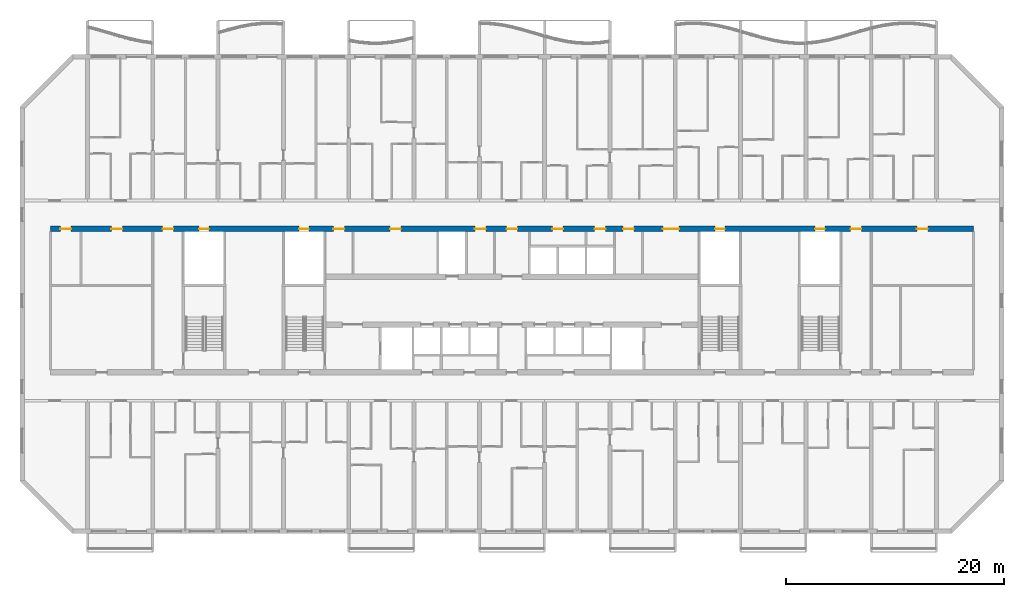
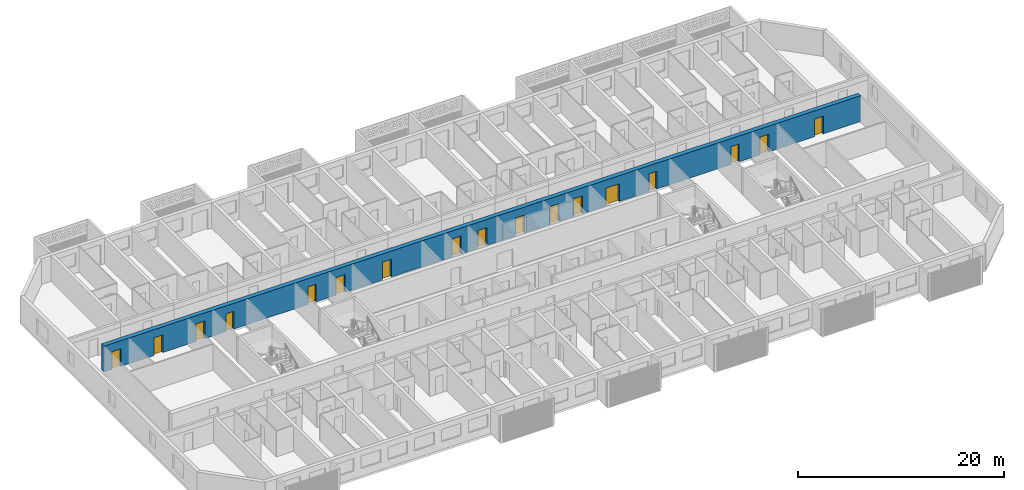
# One storey, part 8 of 30: 17 doors, 1 wall, 17 openings.
"""IFC4 building model written with IfcOpenShell, lengths in metres."""

from ifc_helpers import new_model, si_unit, direction, frame, frame_2d, origin, place, context, subcontext, project, spatial, rectangle, extrude, material, layer, layer_set, type_object, element, fill, save


model = new_model("IFC4")

# Units and contexts
model_context = context("Model", 3, precision=1e-05, world=origin(), true_north=direction((0.0, 1.0)))
body_context = subcontext(model_context, "Body", "Model", "MODEL_VIEW")
ifc_project = project(units=[si_unit("LENGTHUNIT", "METRE"), si_unit("AREAUNIT", "SQUARE_METRE"), si_unit("VOLUMEUNIT", "CUBIC_METRE"), si_unit("PLANEANGLEUNIT", "RADIAN"), si_unit("MASSUNIT", "GRAM", prefix="KILO")], contexts=[model_context])

# Site, building, storey
site_placement = place(None, origin())
site = spatial("IfcSite", under=ifc_project, at=site_placement, CompositionType="ELEMENT")
building_placement = place(site_placement, origin())
building = spatial("IfcBuilding", under=site, at=building_placement, Name="Poui Terraces", CompositionType="ELEMENT")
storey_placement = place(building_placement, frame((0.0, 0.0, 99.300048828125)))
storey = spatial("IfcBuildingStorey", under=building, at=storey_placement, Name="L27", CompositionType="ELEMENT", Elevation=99.300048828125)

# Wall, openings, doors
ifc_material_1 = material(Name="Concrete 65 MPa", Category="concrete")
ifc_layer = layer(ifc_material_1, 0.5)
ifc_layer_set = layer_set([ifc_layer], Name="Concrete 65 MPa")
wall_type = type_object("IfcWallType", Name="SPINE WALL 500 65 MPA", PredefinedType="SOLIDWALL", material=ifc_layer_set)
wall_placement = place(storey_placement, frame((8.60009765625, 27.800048828125, 0.0), z_axis=(0.0, 0.0, 1.0), x_axis=(1.0, 0.0, 0.0)))
wall = element("IfcWall", 1, at=wall_placement, inside=storey, type_object=wall_type, Name="SPINE WALL", PredefinedType="SOLIDWALL", context=body_context, shape_type="SweptSolid", body=[
    extrude(rectangle(XDim=84.7998046875, YDim=0.5, at=frame_2d((42.39990234375, 0.0))), origin(), (0.0, 0.0, 1.0), 3.06005859375),
])
opening_1_placement = place(wall_placement, frame((0.89990234375, 0.0, 0.0)))
opening_1 = element("IfcOpeningElement", 2, at=opening_1_placement, cuts=wall, Name="Opening FD60", PredefinedType="OPENING", context=body_context, shape_type="SweptSolid", body=[
    extrude(rectangle(XDim=1.0, YDim=2.10009765625, at=frame_2d((0.5, 1.050048828125))), frame((0.0, 0.260009765625, 0.0), z_axis=(0.0, -1.0, 0.0), x_axis=(1.0, 0.0, 0.0)), (0.0, 0.0, 1.0), 0.52001953125),
])
opening_2_placement = place(wall_placement, frame((5.60009765625, 0.0, 0.0)))
opening_2 = element("IfcOpeningElement", 3, at=opening_2_placement, cuts=wall, Name="Opening FD60", PredefinedType="OPENING", context=body_context, shape_type="SweptSolid", body=[
    extrude(rectangle(XDim=1.0, YDim=2.10009765625, at=frame_2d((0.5, 1.050048828125))), frame((0.0, 0.260009765625, 0.0), z_axis=(0.0, -1.0, 0.0), x_axis=(1.0, 0.0, 0.0)), (0.0, 0.0, 1.0), 0.52001953125),
])
opening_3_placement = place(wall_placement, frame((10.300048828125, 0.0, 0.0)))
opening_3 = element("IfcOpeningElement", 4, at=opening_3_placement, cuts=wall, Name="Opening FDL", PredefinedType="OPENING", context=body_context, shape_type="SweptSolid", body=[
    extrude(rectangle(XDim=1.0, YDim=2.10009765625, at=frame_2d((0.5, 1.050048828125))), frame((0.0, 0.260009765625, 0.0), z_axis=(0.0, -1.0, 0.0), x_axis=(1.0, 0.0, 0.0)), (0.0, 0.0, 1.0), 0.52001953125),
])
opening_4_placement = place(wall_placement, frame((13.64990234375, 0.0, 0.0)))
opening_4 = element("IfcOpeningElement", 5, at=opening_4_placement, cuts=wall, Name="Opening FDR", PredefinedType="OPENING", context=body_context, shape_type="SweptSolid", body=[
    extrude(rectangle(XDim=0.89990234375, YDim=2.10009765625, at=frame_2d((0.449951171875, 1.050048828125))), frame((0.0, 0.260009765625, 0.0), z_axis=(0.0, -1.0, 0.0), x_axis=(1.0, 0.0, 0.0)), (0.0, 0.0, 1.0), 0.52001953125),
])
opening_5_placement = place(wall_placement, frame((22.85009765625, 0.0, 0.0)))
opening_5 = element("IfcOpeningElement", 6, at=opening_5_placement, cuts=wall, Name="Opening FDR", PredefinedType="OPENING", context=body_context, shape_type="SweptSolid", body=[
    extrude(rectangle(XDim=0.89990234375, YDim=2.10009765625, at=frame_2d((0.449951171875, 1.050048828125))), frame((0.0, 0.260009765625, 0.0), z_axis=(0.0, -1.0, 0.0), x_axis=(1.0, 0.0, 0.0)), (0.0, 0.0, 1.0), 0.52001953125),
])
opening_6_placement = place(wall_placement, frame((26.0, 0.0, 0.0)))
opening_6 = element("IfcOpeningElement", 7, at=opening_6_placement, cuts=wall, Name="Opening FD60", PredefinedType="OPENING", context=body_context, shape_type="SweptSolid", body=[
    extrude(rectangle(XDim=1.0, YDim=2.10009765625, at=frame_2d((0.5, 1.050048828125))), frame((0.0, 0.260009765625, 0.0), z_axis=(0.0, -1.0, 0.0), x_axis=(1.0, 0.0, 0.0)), (0.0, 0.0, 1.0), 0.52001953125),
])
opening_7_placement = place(wall_placement, frame((31.199951171875, 0.0, 0.0)))
opening_7 = element("IfcOpeningElement", 8, at=opening_7_placement, cuts=wall, Name="Opening FD60", PredefinedType="OPENING", context=body_context, shape_type="SweptSolid", body=[
    extrude(rectangle(XDim=1.0, YDim=2.10009765625, at=frame_2d((0.5, 1.050048828125))), frame((0.0, 0.260009765625, 0.0), z_axis=(0.0, -1.0, 0.0), x_axis=(1.0, 0.0, 0.0)), (0.0, 0.0, 1.0), 0.52001953125),
])
opening_8_placement = place(wall_placement, frame((39.0, 0.0, 0.0)))
opening_8 = element("IfcOpeningElement", 9, at=opening_8_placement, cuts=wall, Name="Opening FD60", PredefinedType="OPENING", context=body_context, shape_type="SweptSolid", body=[
    extrude(rectangle(XDim=1.0, YDim=2.10009765625, at=frame_2d((0.5, 1.050048828125))), frame((0.0, 0.260009765625, 0.0), z_axis=(0.0, -1.0, 0.0), x_axis=(1.0, 0.0, 0.0)), (0.0, 0.0, 1.0), 0.52001953125),
])
opening_9_placement = place(wall_placement, frame((41.89990234375, 0.0, 0.0)))
opening_9 = element("IfcOpeningElement", 10, at=opening_9_placement, cuts=wall, Name="Opening FDL", PredefinedType="OPENING", context=body_context, shape_type="SweptSolid", body=[
    extrude(rectangle(XDim=1.0, YDim=2.10009765625, at=frame_2d((0.5, 1.050048828125))), frame((0.0, 0.260009765625, 0.0), z_axis=(0.0, -1.0, 0.0), x_axis=(1.0, 0.0, 0.0)), (0.0, 0.0, 1.0), 0.52001953125),
])
opening_10_placement = place(wall_placement, frame((46.10009765625, 0.0, 0.0)))
opening_10 = element("IfcOpeningElement", 11, at=opening_10_placement, cuts=wall, Name="Opening FD60", PredefinedType="OPENING", context=body_context, shape_type="SweptSolid", body=[
    extrude(rectangle(XDim=1.0, YDim=2.10009765625, at=frame_2d((0.5, 1.050048828125))), frame((0.0, 0.260009765625, 0.0), z_axis=(0.0, -1.0, 0.0), x_axis=(1.0, 0.0, 0.0)), (0.0, 0.0, 1.0), 0.52001953125),
])
opening_11_placement = place(wall_placement, frame((50.0, 0.0, 0.0)))
opening_11 = element("IfcOpeningElement", 12, at=opening_11_placement, cuts=wall, Name="Opening FD60", PredefinedType="OPENING", context=body_context, shape_type="SweptSolid", body=[
    extrude(rectangle(XDim=1.0, YDim=2.10009765625, at=frame_2d((0.5, 1.050048828125))), frame((0.0, 0.260009765625, 0.0), z_axis=(0.0, -1.0, 0.0), x_axis=(1.0, 0.0, 0.0)), (0.0, 0.0, 1.0), 0.52001953125),
])
opening_12_placement = place(wall_placement, frame((52.60009765625, 0.0, 0.0)))
opening_12 = element("IfcOpeningElement", 13, at=opening_12_placement, cuts=wall, Name="Opening FD60", PredefinedType="OPENING", context=body_context, shape_type="SweptSolid", body=[
    extrude(rectangle(XDim=1.0, YDim=2.10009765625, at=frame_2d((0.5, 1.050048828125))), frame((0.0, 0.260009765625, 0.0), z_axis=(0.0, -1.0, 0.0), x_axis=(1.0, 0.0, 0.0)), (0.0, 0.0, 1.0), 0.52001953125),
])
opening_13_placement = place(wall_placement, frame((56.25, 0.0, 0.0)))
opening_13 = element("IfcOpeningElement", 14, at=opening_13_placement, cuts=wall, Name="Opening FDP", PredefinedType="OPENING", context=body_context, shape_type="SweptSolid", body=[
    extrude(rectangle(XDim=1.5, YDim=2.10009765625, at=frame_2d((0.75, 1.050048828125))), frame((0.0, 0.260009765625, 0.0), z_axis=(0.0, -1.0, 0.0), x_axis=(1.0, 0.0, 0.0)), (0.0, 0.0, 1.0), 0.52001953125),
])
opening_14_placement = place(wall_placement, frame((61.050048828125, 0.0, 0.0)))
opening_14 = element("IfcOpeningElement", 15, at=opening_14_placement, cuts=wall, Name="Opening FDR", PredefinedType="OPENING", context=body_context, shape_type="SweptSolid", body=[
    extrude(rectangle(XDim=0.89990234375, YDim=2.10009765625, at=frame_2d((0.449951171875, 1.050048828125))), frame((0.0, 0.260009765625, 0.0), z_axis=(0.0, -1.0, 0.0), x_axis=(1.0, 0.0, 0.0)), (0.0, 0.0, 1.0), 0.52001953125),
])
opening_15_placement = place(wall_placement, frame((70.25, 0.0, 0.0)))
opening_15 = element("IfcOpeningElement", 16, at=opening_15_placement, cuts=wall, Name="Opening FDR", PredefinedType="OPENING", context=body_context, shape_type="SweptSolid", body=[
    extrude(rectangle(XDim=0.89990234375, YDim=2.10009765625, at=frame_2d((0.449951171875, 1.050048828125))), frame((0.0, 0.260009765625, 0.0), z_axis=(0.0, -1.0, 0.0), x_axis=(1.0, 0.0, 0.0)), (0.0, 0.0, 1.0), 0.52001953125),
])
opening_16_placement = place(wall_placement, frame((73.5, 0.0, 0.0)))
opening_16 = element("IfcOpeningElement", 17, at=opening_16_placement, cuts=wall, Name="Opening FDL", PredefinedType="OPENING", context=body_context, shape_type="SweptSolid", body=[
    extrude(rectangle(XDim=1.0, YDim=2.10009765625, at=frame_2d((0.5, 1.050048828125))), frame((0.0, 0.260009765625, 0.0), z_axis=(0.0, -1.0, 0.0), x_axis=(1.0, 0.0, 0.0)), (0.0, 0.0, 1.0), 0.52001953125),
])
opening_17_placement = place(wall_placement, frame((79.60009765625, 0.0, 0.0)))
opening_17 = element("IfcOpeningElement", 18, at=opening_17_placement, cuts=wall, Name="Opening D100", PredefinedType="OPENING", context=body_context, shape_type="SweptSolid", body=[
    extrude(rectangle(XDim=1.0, YDim=2.10009765625, at=frame_2d((0.5, 1.050048828125))), frame((0.0, 0.260009765625, 0.0), z_axis=(0.0, -1.0, 0.0), x_axis=(1.0, 0.0, 0.0)), (0.0, 0.0, 1.0), 0.52001953125),
])
ifc_material_2 = material(Name="Solid core timber door", Category="wood")
door_type_1 = type_object("IfcDoorType", Name="ACCESSIBLE INTERNAL DOOR 1000 X 2100", OperationType="NOTDEFINED", PredefinedType="DOOR", material=ifc_material_2)
door_1_placement = place(opening_17_placement, origin())
door_1 = element("IfcDoor", 19, at=door_1_placement, inside=storey, type_object=door_type_1, Name="ACCESSIBLE INTERNAL DOOR 017", OperationType="SINGLE_SWING_RIGHT", OverallHeight=2.10009765625, OverallWidth=1.0, PredefinedType="DOOR", context=body_context, shape_type="SweptSolid", body=[
    extrude(rectangle(XDim=1.0, YDim=2.10009765625, at=frame_2d((0.5, 1.050048828125))), frame((0.0, 0.02490234375, 0.0), z_axis=(0.0, -1.0, 0.0), x_axis=(1.0, 0.0, 0.0)), (0.0, 0.0, 1.0), 0.050048828125),
])
fill(opening_17, door_1)
ifc_material_3 = material(Name="Steel fire door", Category="steel")
door_type_2 = type_object("IfcDoorType", Name="LOBBY FIRE DOOR 1000 X 2100", OperationType="NOTDEFINED", PredefinedType="DOOR", material=ifc_material_3)
door_2_placement = place(opening_3_placement, origin())
door_2 = element("IfcDoor", 20, at=door_2_placement, inside=storey, type_object=door_type_2, Name="LOBBY FIRE DOOR 003", OperationType="SINGLE_SWING_LEFT", OverallHeight=2.10009765625, OverallWidth=1.0, PredefinedType="DOOR", context=body_context, shape_type="SweptSolid", body=[
    extrude(rectangle(XDim=1.0, YDim=2.10009765625, at=frame_2d((0.5, 1.050048828125))), frame((0.0, 0.02490234375, 0.0), z_axis=(0.0, -1.0, 0.0), x_axis=(1.0, 0.0, 0.0)), (0.0, 0.0, 1.0), 0.050048828125),
])
fill(opening_3, door_2)
door_3_placement = place(opening_9_placement, origin())
door_3 = element("IfcDoor", 21, at=door_3_placement, inside=storey, type_object=door_type_2, Name="LOBBY FIRE DOOR 009", OperationType="SINGLE_SWING_RIGHT", OverallHeight=2.10009765625, OverallWidth=1.0, PredefinedType="DOOR", context=body_context, shape_type="SweptSolid", body=[
    extrude(rectangle(XDim=1.0, YDim=2.10009765625, at=frame_2d((0.5, 1.050048828125))), frame((0.0, 0.02490234375, 0.0), z_axis=(0.0, -1.0, 0.0), x_axis=(1.0, 0.0, 0.0)), (0.0, 0.0, 1.0), 0.050048828125),
])
fill(opening_9, door_3)
door_4_placement = place(opening_16_placement, origin())
door_4 = element("IfcDoor", 22, at=door_4_placement, inside=storey, type_object=door_type_2, Name="LOBBY FIRE DOOR 016", OperationType="SINGLE_SWING_RIGHT", OverallHeight=2.10009765625, OverallWidth=1.0, PredefinedType="DOOR", context=body_context, shape_type="SweptSolid", body=[
    extrude(rectangle(XDim=1.0, YDim=2.10009765625, at=frame_2d((0.5, 1.050048828125))), frame((0.0, 0.02490234375, 0.0), z_axis=(0.0, -1.0, 0.0), x_axis=(1.0, 0.0, 0.0)), (0.0, 0.0, 1.0), 0.050048828125),
])
fill(opening_16, door_4)
door_type_3 = type_object("IfcDoorType", Name="PLANT ROOM DOOR PAIR 1500 X 2100", OperationType="DOUBLE_DOOR_SINGLE_SWING", PredefinedType="DOOR", material=ifc_material_3)
door_5_placement = place(opening_13_placement, origin())
door_5 = element("IfcDoor", 23, at=door_5_placement, inside=storey, type_object=door_type_3, Name="PLANT ROOM DOOR PAIR 013", OperationType="DOUBLE_DOOR_SINGLE_SWING", OverallHeight=2.10009765625, OverallWidth=1.5, PredefinedType="DOOR", context=body_context, shape_type="SweptSolid", body=[
    extrude(rectangle(XDim=1.5, YDim=2.10009765625, at=frame_2d((0.75, 1.050048828125))), frame((0.0, 0.02490234375, 0.0), z_axis=(0.0, -1.0, 0.0), x_axis=(1.0, 0.0, 0.0)), (0.0, 0.0, 1.0), 0.050048828125),
])
fill(opening_13, door_5)
door_type_4 = type_object("IfcDoorType", Name="RISER CUPBOARD DOOR 900 X 2100", OperationType="NOTDEFINED", PredefinedType="DOOR", material=ifc_material_3)
door_6_placement = place(opening_4_placement, origin())
door_6 = element("IfcDoor", 24, at=door_6_placement, inside=storey, type_object=door_type_4, Name="RISER CUPBOARD DOOR 004", OperationType="SINGLE_SWING_LEFT", OverallHeight=2.10009765625, OverallWidth=0.89990234375, PredefinedType="DOOR", context=body_context, shape_type="SweptSolid", body=[
    extrude(rectangle(XDim=0.89990234375, YDim=2.10009765625, at=frame_2d((0.449951171875, 1.050048828125))), frame((0.0, 0.02490234375, 0.0), z_axis=(0.0, -1.0, 0.0), x_axis=(1.0, 0.0, 0.0)), (0.0, 0.0, 1.0), 0.050048828125),
])
fill(opening_4, door_6)
door_7_placement = place(opening_5_placement, origin())
door_7 = element("IfcDoor", 25, at=door_7_placement, inside=storey, type_object=door_type_4, Name="RISER CUPBOARD DOOR 005", OperationType="SINGLE_SWING_LEFT", OverallHeight=2.10009765625, OverallWidth=0.89990234375, PredefinedType="DOOR", context=body_context, shape_type="SweptSolid", body=[
    extrude(rectangle(XDim=0.89990234375, YDim=2.10009765625, at=frame_2d((0.449951171875, 1.050048828125))), frame((0.0, 0.02490234375, 0.0), z_axis=(0.0, -1.0, 0.0), x_axis=(1.0, 0.0, 0.0)), (0.0, 0.0, 1.0), 0.050048828125),
])
fill(opening_5, door_7)
door_8_placement = place(opening_14_placement, origin())
door_8 = element("IfcDoor", 26, at=door_8_placement, inside=storey, type_object=door_type_4, Name="RISER CUPBOARD DOOR 014", OperationType="SINGLE_SWING_RIGHT", OverallHeight=2.10009765625, OverallWidth=0.89990234375, PredefinedType="DOOR", context=body_context, shape_type="SweptSolid", body=[
    extrude(rectangle(XDim=0.89990234375, YDim=2.10009765625, at=frame_2d((0.449951171875, 1.050048828125))), frame((0.0, 0.02490234375, 0.0), z_axis=(0.0, -1.0, 0.0), x_axis=(1.0, 0.0, 0.0)), (0.0, 0.0, 1.0), 0.050048828125),
])
fill(opening_14, door_8)
door_9_placement = place(opening_15_placement, origin())
door_9 = element("IfcDoor", 27, at=door_9_placement, inside=storey, type_object=door_type_4, Name="RISER CUPBOARD DOOR 015", OperationType="SINGLE_SWING_RIGHT", OverallHeight=2.10009765625, OverallWidth=0.89990234375, PredefinedType="DOOR", context=body_context, shape_type="SweptSolid", body=[
    extrude(rectangle(XDim=0.89990234375, YDim=2.10009765625, at=frame_2d((0.449951171875, 1.050048828125))), frame((0.0, 0.02490234375, 0.0), z_axis=(0.0, -1.0, 0.0), x_axis=(1.0, 0.0, 0.0)), (0.0, 0.0, 1.0), 0.050048828125),
])
fill(opening_15, door_9)
door_type_5 = type_object("IfcDoorType", Name="SERVICE ROOM FIRE DOOR 1000 X 2100", OperationType="NOTDEFINED", PredefinedType="DOOR", material=ifc_material_3)
door_10_placement = place(opening_1_placement, origin())
door_10 = element("IfcDoor", 28, at=door_10_placement, inside=storey, type_object=door_type_5, Name="SERVICE ROOM FIRE DOOR 001", OperationType="SINGLE_SWING_RIGHT", OverallHeight=2.10009765625, OverallWidth=1.0, PredefinedType="DOOR", context=body_context, shape_type="SweptSolid", body=[
    extrude(rectangle(XDim=1.0, YDim=2.10009765625, at=frame_2d((0.5, 1.050048828125))), frame((0.0, 0.02490234375, 0.0), z_axis=(0.0, -1.0, 0.0), x_axis=(1.0, 0.0, 0.0)), (0.0, 0.0, 1.0), 0.050048828125),
])
fill(opening_1, door_10)
door_11_placement = place(opening_2_placement, origin())
door_11 = element("IfcDoor", 29, at=door_11_placement, inside=storey, type_object=door_type_5, Name="SERVICE ROOM FIRE DOOR 002", OperationType="SINGLE_SWING_LEFT", OverallHeight=2.10009765625, OverallWidth=1.0, PredefinedType="DOOR", context=body_context, shape_type="SweptSolid", body=[
    extrude(rectangle(XDim=1.0, YDim=2.10009765625, at=frame_2d((0.5, 1.050048828125))), frame((0.0, 0.02490234375, 0.0), z_axis=(0.0, -1.0, 0.0), x_axis=(1.0, 0.0, 0.0)), (0.0, 0.0, 1.0), 0.050048828125),
])
fill(opening_2, door_11)
door_12_placement = place(opening_6_placement, origin())
door_12 = element("IfcDoor", 30, at=door_12_placement, inside=storey, type_object=door_type_5, Name="SERVICE ROOM FIRE DOOR 006", OperationType="SINGLE_SWING_RIGHT", OverallHeight=2.10009765625, OverallWidth=1.0, PredefinedType="DOOR", context=body_context, shape_type="SweptSolid", body=[
    extrude(rectangle(XDim=1.0, YDim=2.10009765625, at=frame_2d((0.5, 1.050048828125))), frame((0.0, 0.02490234375, 0.0), z_axis=(0.0, -1.0, 0.0), x_axis=(1.0, 0.0, 0.0)), (0.0, 0.0, 1.0), 0.050048828125),
])
fill(opening_6, door_12)
door_13_placement = place(opening_7_placement, origin())
door_13 = element("IfcDoor", 31, at=door_13_placement, inside=storey, type_object=door_type_5, Name="SERVICE ROOM FIRE DOOR 007", OperationType="SINGLE_SWING_LEFT", OverallHeight=2.10009765625, OverallWidth=1.0, PredefinedType="DOOR", context=body_context, shape_type="SweptSolid", body=[
    extrude(rectangle(XDim=1.0, YDim=2.10009765625, at=frame_2d((0.5, 1.050048828125))), frame((0.0, 0.02490234375, 0.0), z_axis=(0.0, -1.0, 0.0), x_axis=(1.0, 0.0, 0.0)), (0.0, 0.0, 1.0), 0.050048828125),
])
fill(opening_7, door_13)
door_14_placement = place(opening_8_placement, origin())
door_14 = element("IfcDoor", 32, at=door_14_placement, inside=storey, type_object=door_type_5, Name="SERVICE ROOM FIRE DOOR 008", OperationType="SINGLE_SWING_RIGHT", OverallHeight=2.10009765625, OverallWidth=1.0, PredefinedType="DOOR", context=body_context, shape_type="SweptSolid", body=[
    extrude(rectangle(XDim=1.0, YDim=2.10009765625, at=frame_2d((0.5, 1.050048828125))), frame((0.0, 0.02490234375, 0.0), z_axis=(0.0, -1.0, 0.0), x_axis=(1.0, 0.0, 0.0)), (0.0, 0.0, 1.0), 0.050048828125),
])
fill(opening_8, door_14)
door_15_placement = place(opening_10_placement, origin())
door_15 = element("IfcDoor", 33, at=door_15_placement, inside=storey, type_object=door_type_5, Name="SERVICE ROOM FIRE DOOR 010", OperationType="SINGLE_SWING_LEFT", OverallHeight=2.10009765625, OverallWidth=1.0, PredefinedType="DOOR", context=body_context, shape_type="SweptSolid", body=[
    extrude(rectangle(XDim=1.0, YDim=2.10009765625, at=frame_2d((0.5, 1.050048828125))), frame((0.0, 0.02490234375, 0.0), z_axis=(0.0, -1.0, 0.0), x_axis=(1.0, 0.0, 0.0)), (0.0, 0.0, 1.0), 0.050048828125),
])
fill(opening_10, door_15)
door_16_placement = place(opening_11_placement, origin())
door_16 = element("IfcDoor", 34, at=door_16_placement, inside=storey, type_object=door_type_5, Name="SERVICE ROOM FIRE DOOR 011", OperationType="SINGLE_SWING_RIGHT", OverallHeight=2.10009765625, OverallWidth=1.0, PredefinedType="DOOR", context=body_context, shape_type="SweptSolid", body=[
    extrude(rectangle(XDim=1.0, YDim=2.10009765625, at=frame_2d((0.5, 1.050048828125))), frame((0.0, 0.02490234375, 0.0), z_axis=(0.0, -1.0, 0.0), x_axis=(1.0, 0.0, 0.0)), (0.0, 0.0, 1.0), 0.050048828125),
])
fill(opening_11, door_16)
door_17_placement = place(opening_12_placement, origin())
door_17 = element("IfcDoor", 35, at=door_17_placement, inside=storey, type_object=door_type_5, Name="SERVICE ROOM FIRE DOOR 012", OperationType="SINGLE_SWING_LEFT", OverallHeight=2.10009765625, OverallWidth=1.0, PredefinedType="DOOR", context=body_context, shape_type="SweptSolid", body=[
    extrude(rectangle(XDim=1.0, YDim=2.10009765625, at=frame_2d((0.5, 1.050048828125))), frame((0.0, 0.02490234375, 0.0), z_axis=(0.0, -1.0, 0.0), x_axis=(1.0, 0.0, 0.0)), (0.0, 0.0, 1.0), 0.050048828125),
])
fill(opening_12, door_17)

save(model, "model.ifc")
